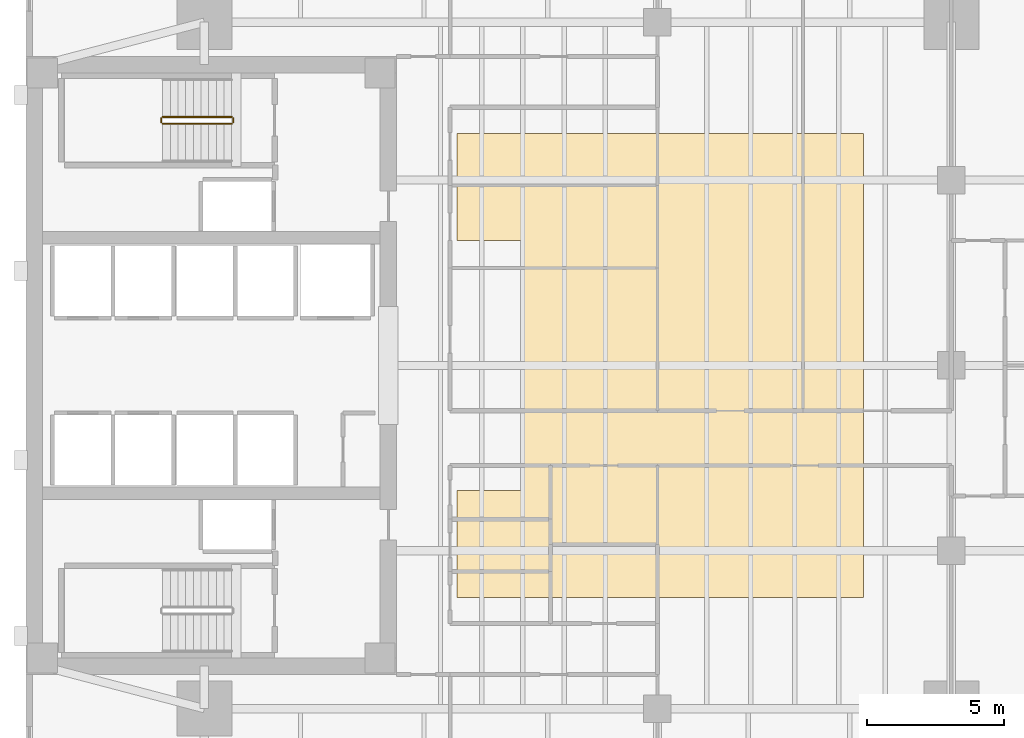
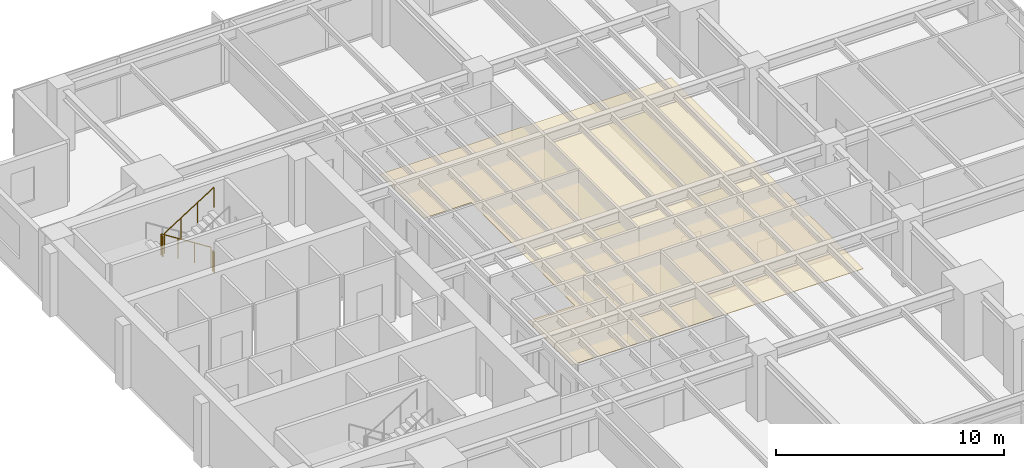
# One storey, part 13 of 14: 4 railings, 1 covering.
"""IFC4 building model written with IfcOpenShell, lengths in metres."""

from ifc_helpers import new_model, si_unit, direction, frame, origin, origin_2d, place, context, subcontext, project, spatial, polyline, circle, outline, extrude, material, layer, layer_set, type_object, element, save


model = new_model("IFC4")

# Units and contexts
model_context = context("Model", 3, precision=1e-05, world=origin(), true_north=direction((0.0, 1.0)))
body_context = subcontext(model_context, "Body", "Model", "MODEL_VIEW")
ifc_project = project(units=[si_unit("LENGTHUNIT", "METRE"), si_unit("AREAUNIT", "SQUARE_METRE"), si_unit("VOLUMEUNIT", "CUBIC_METRE"), si_unit("PLANEANGLEUNIT", "RADIAN"), si_unit("MASSUNIT", "GRAM", prefix="KILO")], contexts=[model_context])

# Site, building, storey
site_placement = place(None, origin())
site = spatial("IfcSite", under=ifc_project, at=site_placement, CompositionType="ELEMENT")
building_placement = place(site_placement, origin())
building = spatial("IfcBuilding", under=site, at=building_placement, Name="Kinhvarn Gate Tower", CompositionType="ELEMENT")
storey_placement = place(building_placement, frame((0.0, 0.0, 166.14990234375)))
storey = spatial("IfcBuildingStorey", under=building, at=storey_placement, Name="L44", CompositionType="ELEMENT", Elevation=166.14990234375)

# Covering
ifc_material_1 = material(Name="Mineral-fibre acoustic ceiling tile")
ifc_layer = layer(ifc_material_1, 0.02001953125)
ifc_layer_set = layer_set([ifc_layer], Name="Mineral-fibre acoustic ceiling tile")
covering_type = type_object("IfcCoveringType", Name="COV-CEIL-20", PredefinedType="CEILING", material=ifc_layer_set)
covering_placement = place(storey_placement, frame((0.0, 0.0, 2.650146484375)))
element("IfcCovering", 1, at=covering_placement, inside=storey, type_object=covering_type, Name="Suspended Acoustic Ceiling Tile (L44-1)", PredefinedType="CEILING", context=body_context, shape_type="SweptSolid", body=[
    extrude(outline(polyline([(35.0, 33.699951171875), (35.0, 16.800048828125), (20.199951171875, 16.800048828125), (20.199951171875, 20.699951171875), (22.60009765625, 20.699951171875), (22.60009765625, 29.800048828125), (20.199951171875, 29.800048828125), (20.199951171875, 33.699951171875), (35.0, 33.699951171875)])), origin(), (0.0, 0.0, 1.0), 0.02001953125),
])

# Railings
ifc_material_2 = material(Name="Steel S355", Category="steel")
railing_type = type_object("IfcRailingType", Name="RL-ST-GRD", PredefinedType="BALUSTRADE", material=ifc_material_2)
railing_1_placement = place(storey_placement, frame((12.0, 34.300048828125, 0.177490234375)))
element("IfcRailing", 2, at=railing_1_placement, inside=storey, type_object=railing_type, Name="L44 ST2 stair guard 1", PredefinedType="BALUSTRADE", context=body_context, shape_type="SweptSolid", body=[
    extrude(circle(Radius=0.02392578125, at=origin_2d()), frame((0.0, 0.0, 1.076171875), z_axis=(-0.84456994832, 0.0, 0.535445237532), x_axis=(0.0, -1.0, 0.0)), (0.0, 0.0, 1.0), 2.98388671875),
    extrude(circle(Radius=0.02099609375, at=origin_2d()), origin(), (0.0, 0.0, 1.0), 1.052001953125),
    extrude(circle(Radius=0.02099609375, at=origin_2d()), frame((-0.840087890625, 0.0, 0.532470703125)), (0.0, 0.0, 1.0), 1.052001953125),
    extrude(circle(Radius=0.02099609375, at=origin_2d()), frame((-1.679931640625, 0.0, 1.065185546875)), (0.0, 0.0, 1.0), 1.052001953125),
    extrude(circle(Radius=0.02099609375, at=origin_2d()), frame((-2.52001953125, 0.0, 1.59765625)), (0.0, 0.0, 1.0), 1.052001953125),
])
railing_2_placement = place(storey_placement, frame((9.429931640625, 34.25, 1.775146484375)))
element("IfcRailing", 3, at=railing_2_placement, inside=storey, type_object=railing_type, Name="L44 ST2 stair guard 2", PredefinedType="BALUSTRADE", context=body_context, shape_type="SweptSolid", body=[
    extrude(circle(Radius=0.02392578125, at=origin_2d()), frame((0.0, 0.0, 1.076171875), z_axis=(0.0, -1.0, 0.0), x_axis=(1.0, 0.0, 0.0)), (0.0, 0.0, 1.0), 0.14990234375),
    extrude(circle(Radius=0.02099609375, at=origin_2d()), origin(), (0.0, 0.0, 1.0), 1.052001953125),
    extrude(circle(Radius=0.02099609375, at=origin_2d()), frame((0.0, -0.14990234375, 0.0)), (0.0, 0.0, 1.0), 1.052001953125),
])
railing_3_placement = place(storey_placement, frame((9.47998046875, 34.050048828125, 1.95263671875)))
element("IfcRailing", 4, at=railing_3_placement, inside=storey, type_object=railing_type, Name="L44 ST2 stair guard 3", PredefinedType="BALUSTRADE", context=body_context, shape_type="SweptSolid", body=[
    extrude(circle(Radius=0.02392578125, at=origin_2d()), frame((0.0, 0.0, 1.076171875), z_axis=(0.84460694969, 0.0, 0.535386869969), x_axis=(0.0, 1.0, 0.0)), (0.0, 0.0, 1.0), 2.983642578125),
    extrude(circle(Radius=0.02099609375, at=origin_2d()), origin(), (0.0, 0.0, 1.0), 1.052001953125),
    extrude(circle(Radius=0.02099609375, at=origin_2d()), frame((0.840087890625, 0.0, 0.532470703125)), (0.0, 0.0, 1.0), 1.052001953125),
    extrude(circle(Radius=0.02099609375, at=origin_2d()), frame((1.679931640625, 0.0, 1.06494140625)), (0.0, 0.0, 1.0), 1.052001953125),
    extrude(circle(Radius=0.02099609375, at=origin_2d()), frame((2.52001953125, 0.0, 1.597412109375)), (0.0, 0.0, 1.0), 1.052001953125),
])
railing_4_placement = place(storey_placement, frame((12.050048828125, 34.25, 0.0)))
element("IfcRailing", 5, at=railing_4_placement, inside=storey, type_object=railing_type, Name="L44 ST2 stair guard 4", PredefinedType="BALUSTRADE", context=body_context, shape_type="SweptSolid", body=[
    extrude(circle(Radius=0.02392578125, at=origin_2d()), frame((0.0, 0.0, 1.076171875), z_axis=(0.0, -1.0, 0.0), x_axis=(1.0, 0.0, 0.0)), (0.0, 0.0, 1.0), 0.14990234375),
    extrude(circle(Radius=0.02099609375, at=origin_2d()), origin(), (0.0, 0.0, 1.0), 1.052001953125),
    extrude(circle(Radius=0.02099609375, at=origin_2d()), frame((0.0, -0.14990234375, 0.0)), (0.0, 0.0, 1.0), 1.052001953125),
])

save(model, "model.ifc")
